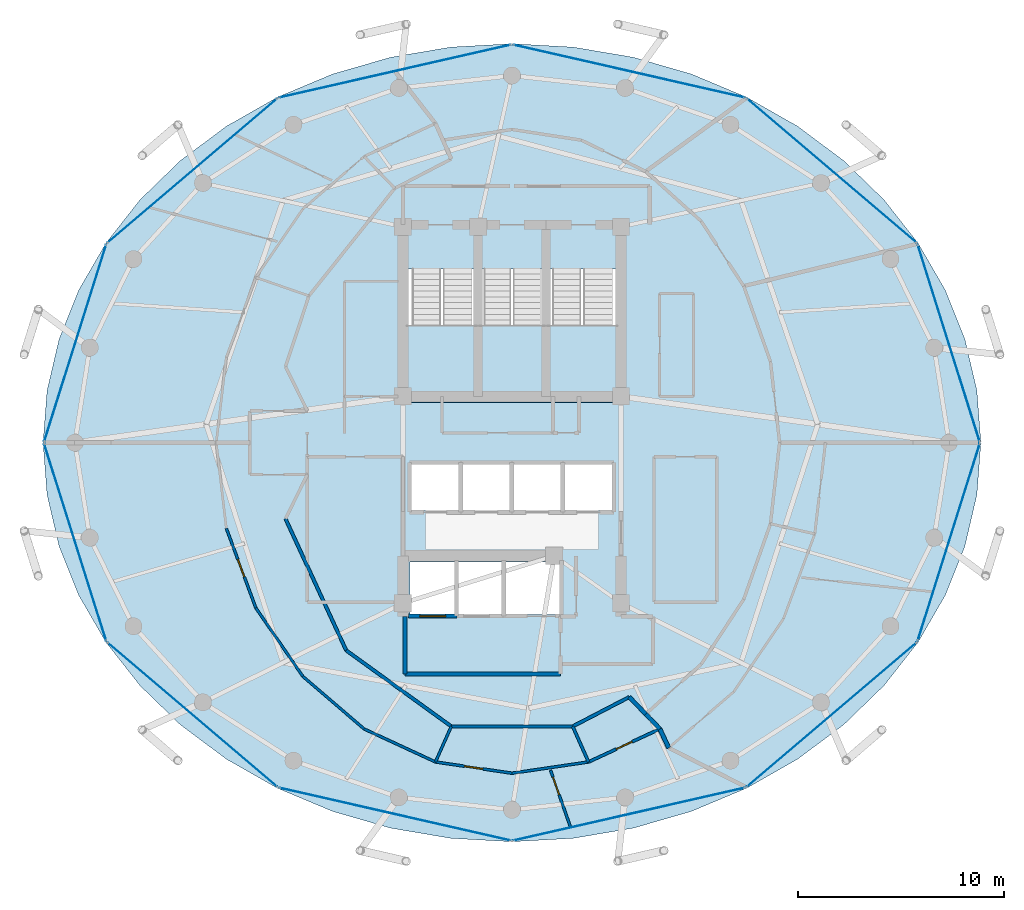
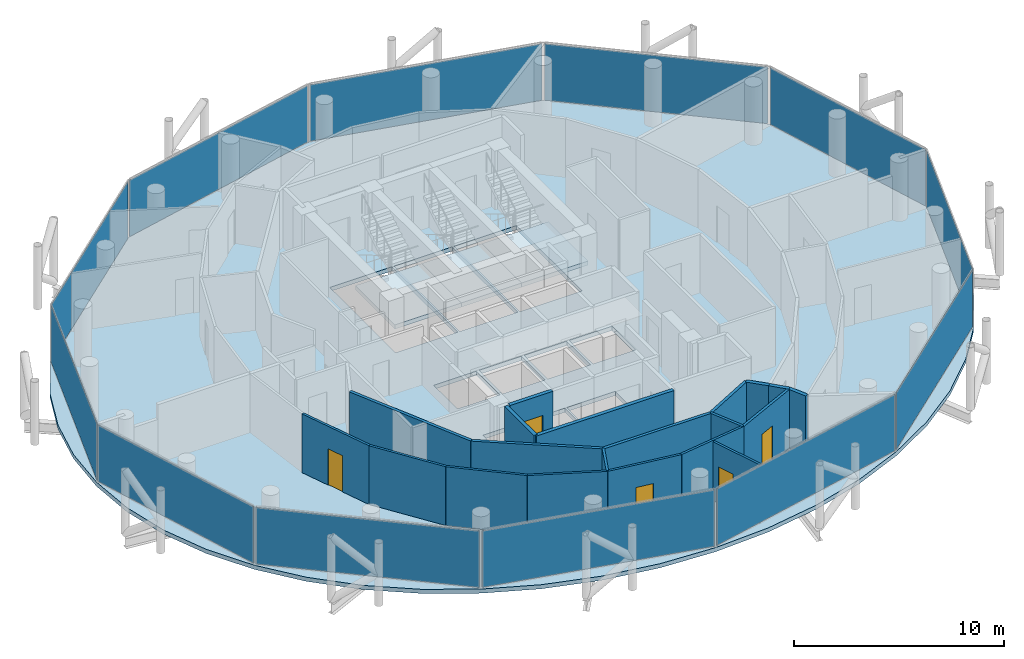
# One storey, part 22 of 27: 20 walls, 12 plates, 5 doors, 4 slabs, 5 openings, 15 elements without a shape of their own.
"""IFC4 building model written with IfcOpenShell, lengths in metres."""

from ifc_helpers import new_model, si_unit, direction, frame, frame_2d, origin, origin_2d, place, context, subcontext, project, spatial, polyline, rectangle, outline, extrude, material, layer, layer_set, type_object, element, fill, aggregate, save


model = new_model("IFC4")

# Units and contexts
model_context = context("Model", 3, precision=1e-05, world=origin(), true_north=direction((0.0, 1.0)))
body_context = subcontext(model_context, "Body", "Model", "MODEL_VIEW")
ifc_project = project(units=[si_unit("LENGTHUNIT", "METRE"), si_unit("AREAUNIT", "SQUARE_METRE"), si_unit("VOLUMEUNIT", "CUBIC_METRE"), si_unit("PLANEANGLEUNIT", "RADIAN"), si_unit("MASSUNIT", "GRAM", prefix="KILO")], contexts=[model_context])

# Site, building, storey
site_placement = place(None, origin())
site = spatial("IfcSite", under=ifc_project, at=site_placement, CompositionType="ELEMENT")
building_placement = place(site_placement, origin())
building = spatial("IfcBuilding", under=site, at=building_placement, Name="Nuhasar Tower", CompositionType="ELEMENT")
storey_placement = place(building_placement, frame((0.0, 0.0, 219.10009765625)))
storey = spatial("IfcBuildingStorey", under=building, at=storey_placement, Name="L53", CompositionType="ELEMENT", Elevation=219.10009765625)

# Curtain wall, plate
ifc_material_1 = material(Name="Aluminium 6063-T6", Category="aluminium")
ifc_layer_1 = layer(ifc_material_1, 0.18994140625)
ifc_layer_set_1 = layer_set([ifc_layer_1], Name="Aluminium 6063-T6")
curtain_wall_type = type_object("IfcCurtainWallType", Name="CW-Z3-RES", PredefinedType="NOTDEFINED", material=ifc_layer_set_1)
curtain_wall_1_placement = place(storey_placement, origin())
curtain_wall_1 = element("IfcCurtainWall", 1, at=curtain_wall_1_placement, inside=storey, type_object=curtain_wall_type, Name="L53 Unitised Curtain Wall 01", PredefinedType="NOTDEFINED")
ifc_material_2 = material(Name="Glass Double Low-E", Category="glass")
ifc_layer_2 = layer(ifc_material_2, 0.028076171875)
ifc_layer_set_2 = layer_set([ifc_layer_2], Name="Glass Double Low-E")
plate_type = type_object("IfcPlateType", Name="CW-PANEL-GLZ", PredefinedType="CURTAIN_PANEL", material=ifc_layer_set_2)
plate_1_placement = place(storey_placement, frame((60.235595703125, 31.639892578125, 0.06494140625), z_axis=(0.0, 0.0, 1.0), x_axis=(-0.30042864553, 0.95380429279, 0.0)))
plate_1 = element("IfcPlate", 2, at=plate_1_placement, type_object=plate_type, Name="CW-Z3 panel 1.1", PredefinedType="CURTAIN_PANEL", context=body_context, shape_type="SweptSolid", body=[
    extrude(rectangle(XDim=10.018798828125, YDim=0.028076171875, at=origin_2d()), origin(), (0.0, 0.0, 1.0), 3.280029296875),
])
aggregate(curtain_wall_1, [plate_1])

curtain_wall_2_placement = place(storey_placement, origin())
curtain_wall_2 = element("IfcCurtainWall", 3, at=curtain_wall_2_placement, inside=storey, type_object=curtain_wall_type, Name="L53 Unitised Curtain Wall 02", PredefinedType="NOTDEFINED")
plate_2_placement = place(storey_placement, frame((54.54541015625, 40.02294921875, 0.06494140625), z_axis=(0.0, 0.0, 1.0), x_axis=(-0.761729472562, 0.64789521578, 0.0)))
plate_2 = element("IfcPlate", 4, at=plate_2_placement, type_object=plate_type, Name="CW-Z3 panel 1.1", PredefinedType="CURTAIN_PANEL", context=body_context, shape_type="SweptSolid", body=[
    extrude(rectangle(XDim=10.806884765625, YDim=0.028076171875, at=origin_2d()), origin(), (0.0, 0.0, 1.0), 3.280029296875),
])
aggregate(curtain_wall_2, [plate_2])

curtain_wall_3_placement = place(storey_placement, origin())
curtain_wall_3 = element("IfcCurtainWall", 5, at=curtain_wall_3_placement, inside=storey, type_object=curtain_wall_type, Name="L53 Unitised Curtain Wall 03", PredefinedType="NOTDEFINED")
plate_3_placement = place(storey_placement, frame((44.68994140625, 44.863037109375, 0.06494140625), z_axis=(0.0, 0.0, 1.0), x_axis=(-0.974991266926, 0.222243176313, 0.0)))
plate_3 = element("IfcPlate", 6, at=plate_3_placement, type_object=plate_type, Name="CW-Z3 panel 1.1", PredefinedType="CURTAIN_PANEL", context=body_context, shape_type="SweptSolid", body=[
    extrude(rectangle(XDim=11.5419921875, YDim=0.028076171875, at=origin_2d()), origin(), (0.0, 0.0, 1.0), 3.280029296875),
])
aggregate(curtain_wall_3, [plate_3])

curtain_wall_4_placement = place(storey_placement, origin())
curtain_wall_4 = element("IfcCurtainWall", 7, at=curtain_wall_4_placement, inside=storey, type_object=curtain_wall_type, Name="L53 Unitised Curtain Wall 04", PredefinedType="NOTDEFINED")
plate_4_placement = place(storey_placement, frame((33.31005859375, 44.863037109375, 0.06494140625), z_axis=(0.0, 0.0, 1.0), x_axis=(-0.974991266926, -0.222243176313, 0.0)))
plate_4 = element("IfcPlate", 8, at=plate_4_placement, type_object=plate_type, Name="CW-Z3 panel 1.1", PredefinedType="CURTAIN_PANEL", context=body_context, shape_type="SweptSolid", body=[
    extrude(rectangle(XDim=11.5419921875, YDim=0.028076171875, at=origin_2d()), origin(), (0.0, 0.0, 1.0), 3.280029296875),
])
aggregate(curtain_wall_4, [plate_4])

curtain_wall_5_placement = place(storey_placement, origin())
curtain_wall_5 = element("IfcCurtainWall", 9, at=curtain_wall_5_placement, inside=storey, type_object=curtain_wall_type, Name="L53 Unitised Curtain Wall 05", PredefinedType="NOTDEFINED")
plate_5_placement = place(storey_placement, frame((23.45458984375, 40.02294921875, 0.06494140625), z_axis=(0.0, 0.0, 1.0), x_axis=(-0.761729472562, -0.64789521578, 0.0)))
plate_5 = element("IfcPlate", 10, at=plate_5_placement, type_object=plate_type, Name="CW-Z3 panel 1.1", PredefinedType="CURTAIN_PANEL", context=body_context, shape_type="SweptSolid", body=[
    extrude(rectangle(XDim=10.806884765625, YDim=0.028076171875, at=origin_2d()), origin(), (0.0, 0.0, 1.0), 3.280029296875),
])
aggregate(curtain_wall_5, [plate_5])

curtain_wall_6_placement = place(storey_placement, origin())
curtain_wall_6 = element("IfcCurtainWall", 11, at=curtain_wall_6_placement, inside=storey, type_object=curtain_wall_type, Name="L53 Unitised Curtain Wall 06", PredefinedType="NOTDEFINED")
plate_6_placement = place(storey_placement, frame((17.764404296875, 31.639892578125, 0.06494140625), z_axis=(0.0, 0.0, 1.0), x_axis=(-0.30042864553, -0.95380429279, 0.0)))
plate_6 = element("IfcPlate", 12, at=plate_6_placement, type_object=plate_type, Name="CW-Z3 panel 1.1", PredefinedType="CURTAIN_PANEL", context=body_context, shape_type="SweptSolid", body=[
    extrude(rectangle(XDim=10.018798828125, YDim=0.028076171875, at=origin_2d()), origin(), (0.0, 0.0, 1.0), 3.280029296875),
])
aggregate(curtain_wall_6, [plate_6])

curtain_wall_7_placement = place(storey_placement, origin())
curtain_wall_7 = element("IfcCurtainWall", 13, at=curtain_wall_7_placement, inside=storey, type_object=curtain_wall_type, Name="L53 Unitised Curtain Wall 07", PredefinedType="NOTDEFINED")
plate_7_placement = place(storey_placement, frame((17.764404296875, 21.9599609375, 0.06494140625), z_axis=(0.0, 0.0, 1.0), x_axis=(0.30042864553, -0.95380429279, 0.0)))
plate_7 = element("IfcPlate", 14, at=plate_7_placement, type_object=plate_type, Name="CW-Z3 panel 1.1", PredefinedType="CURTAIN_PANEL", context=body_context, shape_type="SweptSolid", body=[
    extrude(rectangle(XDim=10.018798828125, YDim=0.028076171875, at=origin_2d()), origin(), (0.0, 0.0, 1.0), 3.280029296875),
])
aggregate(curtain_wall_7, [plate_7])

curtain_wall_8_placement = place(storey_placement, origin())
curtain_wall_8 = element("IfcCurtainWall", 15, at=curtain_wall_8_placement, inside=storey, type_object=curtain_wall_type, Name="L53 Unitised Curtain Wall 08", PredefinedType="NOTDEFINED")
plate_8_placement = place(storey_placement, frame((23.45458984375, 13.576904296875, 0.06494140625), z_axis=(0.0, 0.0, 1.0), x_axis=(0.761729472562, -0.64789521578, 0.0)))
plate_8 = element("IfcPlate", 16, at=plate_8_placement, type_object=plate_type, Name="CW-Z3 panel 1.1", PredefinedType="CURTAIN_PANEL", context=body_context, shape_type="SweptSolid", body=[
    extrude(rectangle(XDim=10.806884765625, YDim=0.028076171875, at=origin_2d()), origin(), (0.0, 0.0, 1.0), 3.280029296875),
])
aggregate(curtain_wall_8, [plate_8])

curtain_wall_9_placement = place(storey_placement, origin())
curtain_wall_9 = element("IfcCurtainWall", 17, at=curtain_wall_9_placement, inside=storey, type_object=curtain_wall_type, Name="L53 Unitised Curtain Wall 09", PredefinedType="NOTDEFINED")
plate_9_placement = place(storey_placement, frame((33.31005859375, 8.737060546875, 0.06494140625), z_axis=(0.0, 0.0, 1.0), x_axis=(0.974991266926, -0.222243176313, 0.0)))
plate_9 = element("IfcPlate", 18, at=plate_9_placement, type_object=plate_type, Name="CW-Z3 panel 1.1", PredefinedType="CURTAIN_PANEL", context=body_context, shape_type="SweptSolid", body=[
    extrude(rectangle(XDim=11.5419921875, YDim=0.028076171875, at=origin_2d()), origin(), (0.0, 0.0, 1.0), 3.280029296875),
])
aggregate(curtain_wall_9, [plate_9])

curtain_wall_10_placement = place(storey_placement, origin())
curtain_wall_10 = element("IfcCurtainWall", 19, at=curtain_wall_10_placement, inside=storey, type_object=curtain_wall_type, Name="L53 Unitised Curtain Wall 10", PredefinedType="NOTDEFINED")
plate_10_placement = place(storey_placement, frame((44.68994140625, 8.737060546875, 0.06494140625), z_axis=(0.0, 0.0, 1.0), x_axis=(0.974991266926, 0.222243176313, 0.0)))
plate_10 = element("IfcPlate", 20, at=plate_10_placement, type_object=plate_type, Name="CW-Z3 panel 1.1", PredefinedType="CURTAIN_PANEL", context=body_context, shape_type="SweptSolid", body=[
    extrude(rectangle(XDim=11.5419921875, YDim=0.028076171875, at=origin_2d()), origin(), (0.0, 0.0, 1.0), 3.280029296875),
])
aggregate(curtain_wall_10, [plate_10])

curtain_wall_11_placement = place(storey_placement, origin())
curtain_wall_11 = element("IfcCurtainWall", 21, at=curtain_wall_11_placement, inside=storey, type_object=curtain_wall_type, Name="L53 Unitised Curtain Wall 11", PredefinedType="NOTDEFINED")
plate_11_placement = place(storey_placement, frame((54.54541015625, 13.576904296875, 0.06494140625), z_axis=(0.0, 0.0, 1.0), x_axis=(0.761729472562, 0.64789521578, 0.0)))
plate_11 = element("IfcPlate", 22, at=plate_11_placement, type_object=plate_type, Name="CW-Z3 panel 1.1", PredefinedType="CURTAIN_PANEL", context=body_context, shape_type="SweptSolid", body=[
    extrude(rectangle(XDim=10.806884765625, YDim=0.028076171875, at=origin_2d()), origin(), (0.0, 0.0, 1.0), 3.280029296875),
])
aggregate(curtain_wall_11, [plate_11])

curtain_wall_12_placement = place(storey_placement, origin())
curtain_wall_12 = element("IfcCurtainWall", 23, at=curtain_wall_12_placement, inside=storey, type_object=curtain_wall_type, Name="L53 Unitised Curtain Wall 12", PredefinedType="NOTDEFINED")
plate_12_placement = place(storey_placement, frame((60.235595703125, 21.9599609375, 0.06494140625), z_axis=(0.0, 0.0, 1.0), x_axis=(0.30042864553, 0.95380429279, 0.0)))
plate_12 = element("IfcPlate", 24, at=plate_12_placement, type_object=plate_type, Name="CW-Z3 panel 1.1", PredefinedType="CURTAIN_PANEL", context=body_context, shape_type="SweptSolid", body=[
    extrude(rectangle(XDim=10.018798828125, YDim=0.028076171875, at=origin_2d()), origin(), (0.0, 0.0, 1.0), 3.280029296875),
])
aggregate(curtain_wall_12, [plate_12])

# Stair, slab
ifc_material_3 = material(Name="Concrete C45/55", Category="concrete")
stair_type_1 = type_object("IfcStairType", Name="STR-ST-01-2F-22R-1659", PredefinedType="HALF_TURN_STAIR", material=ifc_material_3)
stair_1_placement = place(storey_placement, origin())
stair_1 = element("IfcStair", 25, at=stair_1_placement, inside=storey, type_object=stair_type_1, Name="L53 Exit Stair ST-01", PredefinedType="HALF_TURN_STAIR")
ifc_layer_3 = layer(ifc_material_3, 0.239990234375)
ifc_layer_set_3 = layer_set([ifc_layer_3], Name="Concrete C45/55")
slab_type_1 = type_object("IfcSlabType", Name="SLB-STAIR-LND-240", PredefinedType="LANDING", material=ifc_layer_set_3)
slab_1_placement = place(storey_placement, frame((0.0, 0.0, 1.5849609375)))
slab_1 = element("IfcSlab", 26, at=slab_1_placement, type_object=slab_type_1, Name="ST-01 landing 1", PredefinedType="LANDING", context=body_context, shape_type="SweptSolid", body=[
    extrude(outline(polyline([(33.699951171875, 28.75), (37.35009765625, 28.75), (37.35009765625, 32.52001953125), (33.699951171875, 32.52001953125), (33.699951171875, 28.75)])), origin(), (0.0, 0.0, 1.0), 0.239990234375),
])
aggregate(stair_1, [slab_1])

stair_type_2 = type_object("IfcStairType", Name="STR-ST-03-2F-22R-1659", PredefinedType="HALF_TURN_STAIR", material=ifc_material_3)
stair_2_placement = place(storey_placement, origin())
stair_2 = element("IfcStair", 27, at=stair_2_placement, inside=storey, type_object=stair_type_2, Name="L53 Exit Stair ST-03", PredefinedType="HALF_TURN_STAIR")
slab_2_placement = place(storey_placement, frame((0.0, 0.0, 1.5849609375)))
slab_2 = element("IfcSlab", 28, at=slab_2_placement, type_object=slab_type_1, Name="ST-03 landing 1", PredefinedType="LANDING", context=body_context, shape_type="SweptSolid", body=[
    extrude(outline(polyline([(37.35009765625, 28.75), (40.64990234375, 28.75), (40.64990234375, 32.52001953125), (37.35009765625, 32.52001953125), (37.35009765625, 28.75)])), origin(), (0.0, 0.0, 1.0), 0.239990234375),
])
aggregate(stair_2, [slab_2])

stair_type_3 = type_object("IfcStairType", Name="STR-ST-02-2F-22R-1659", PredefinedType="HALF_TURN_STAIR", material=ifc_material_3)
stair_3_placement = place(storey_placement, origin())
stair_3 = element("IfcStair", 29, at=stair_3_placement, inside=storey, type_object=stair_type_3, Name="L53 Exit Stair ST-02", PredefinedType="HALF_TURN_STAIR")
slab_3_placement = place(storey_placement, frame((0.0, 0.0, 1.5849609375)))
slab_3 = element("IfcSlab", 30, at=slab_3_placement, type_object=slab_type_1, Name="ST-02 landing 1", PredefinedType="LANDING", context=body_context, shape_type="SweptSolid", body=[
    extrude(outline(polyline([(40.64990234375, 28.75), (44.300048828125, 28.75), (44.300048828125, 32.52001953125), (40.64990234375, 32.52001953125), (40.64990234375, 28.75)])), origin(), (0.0, 0.0, 1.0), 0.239990234375),
])
aggregate(stair_3, [slab_3])

# Slab
ifc_layer_4 = layer(ifc_material_3, 0.239990234375)
ifc_layer_set_4 = layer_set([ifc_layer_4], Name="Concrete C45/55")
slab_type_2 = type_object("IfcSlabType", Name="SLB-Z3-240", PredefinedType="FLOOR", material=ifc_layer_set_4)
slab_4_placement = place(storey_placement, frame((0.0, 0.0, -0.239990234375)))
element("IfcSlab", 31, at=slab_4_placement, inside=storey, type_object=slab_type_2, Name="L53 Structural Slab", PredefinedType="FLOOR", context=body_context, shape_type="SweptSolid", body=[
    extrude(outline(polyline([(61.800048828125, 26.800048828125), (61.60498046875, 29.33203125), (61.02294921875, 31.821044921875), (60.06396484375, 34.22412109375), (58.7451171875, 36.5), (57.087890625, 38.610107421875), (55.1220703125, 40.51806640625), (52.8798828125, 42.19091796875), (50.39990234375, 43.60107421875), (47.72509765625, 44.722900390625), (44.90087890625, 45.5390625), (41.97607421875, 46.033935546875), (39.0, 46.199951171875), (36.02392578125, 46.033935546875), (33.09912109375, 45.5390625), (30.27490234375, 44.722900390625), (27.60009765625, 43.60107421875), (25.1201171875, 42.19091796875), (22.8779296875, 40.51806640625), (20.912109375, 38.610107421875), (19.2548828125, 36.5), (17.93603515625, 34.22412109375), (16.97705078125, 31.821044921875), (16.39501953125, 29.33203125), (16.199951171875, 26.800048828125), (16.39501953125, 24.26806640625), (16.97705078125, 21.779052734375), (17.93603515625, 19.3759765625), (19.2548828125, 17.10009765625), (20.912109375, 14.989990234375), (22.8779296875, 13.08203125), (25.1201171875, 11.408935546875), (27.60009765625, 9.9990234375), (30.27490234375, 8.876953125), (33.09912109375, 8.06103515625), (36.02392578125, 7.56591796875), (39.0, 7.39990234375), (41.97607421875, 7.56591796875), (44.90087890625, 8.06103515625), (47.72509765625, 8.876953125), (50.39990234375, 9.9990234375), (52.8798828125, 11.408935546875), (55.1220703125, 13.08203125), (57.087890625, 14.989990234375), (58.7451171875, 17.10009765625), (60.06396484375, 19.3759765625), (61.02294921875, 21.779052734375), (61.60498046875, 24.26806640625), (61.800048828125, 26.800048828125)]), holes=[polyline([(33.8798828125, 35.25), (37.300048828125, 35.25), (37.300048828125, 29.0), (33.8798828125, 29.0), (33.8798828125, 35.25)]), polyline([(37.39990234375, 35.25), (40.60009765625, 35.25), (40.60009765625, 29.0), (37.39990234375, 29.0), (37.39990234375, 35.25)]), polyline([(40.699951171875, 35.25), (44.1201171875, 35.25), (44.1201171875, 29.0), (40.699951171875, 29.0), (40.699951171875, 35.25)]), polyline([(34.10009765625, 25.75), (36.43994140625, 25.75), (36.43994140625, 23.5), (34.10009765625, 23.5), (34.10009765625, 25.75)]), polyline([(36.580078125, 25.75), (38.919921875, 25.75), (38.919921875, 23.5), (36.580078125, 23.5), (36.580078125, 25.75)]), polyline([(39.06005859375, 25.75), (41.39990234375, 25.75), (41.39990234375, 23.5), (39.06005859375, 23.5), (39.06005859375, 25.75)]), polyline([(41.5400390625, 25.75), (43.8798828125, 25.75), (43.8798828125, 23.5), (41.5400390625, 23.5), (41.5400390625, 25.75)]), polyline([(34.050048828125, 21.0), (36.25, 21.0), (36.25, 18.449951171875), (34.050048828125, 18.449951171875), (34.050048828125, 21.0)]), polyline([(36.35009765625, 21.0), (38.550048828125, 21.0), (38.550048828125, 18.449951171875), (36.35009765625, 18.449951171875), (36.35009765625, 21.0)]), polyline([(38.64990234375, 21.0), (41.320068359375, 21.0), (41.320068359375, 18.449951171875), (38.64990234375, 18.449951171875), (38.64990234375, 21.0)])]), origin(), (0.0, 0.0, 1.0), 0.239990234375),
])

# Walls
ifc_material_4 = material(Name="Gypsum Board", Category="gypsum")
ifc_layer_5 = layer(ifc_material_4, 0.159912109375)
ifc_layer_set_5 = layer_set([ifc_layer_5], Name="Gypsum Board")
wall_type_1 = type_object("IfcWallType", Name="WL-CORR-160", PredefinedType="PARTITIONING", material=ifc_layer_set_5)
wall_1_placement = place(storey_placement, frame((27.988037109375, 23.10400390625, 0.0), z_axis=(0.0, 0.0, 1.0), x_axis=(0.418656179426, -0.908144814128, 0.0)))
element("IfcWall", 32, at=wall_1_placement, inside=storey, type_object=wall_type_1, Name="L53 Interior Partition UWEST-CORE-S1-26", PredefinedType="PARTITIONING", context=body_context, shape_type="SweptSolid", body=[
    extrude(rectangle(XDim=7.048583984375, YDim=0.159912109375, at=frame_2d((3.5244140625, 0.0))), origin(), (0.0, 0.0, 1.0), 3.409912109375),
])
wall_2_placement = place(storey_placement, frame((30.93896484375, 16.702880859375, 0.0), z_axis=(0.0, 0.0, 1.0), x_axis=(0.810290119061, -0.586028943784, 0.0)))
element("IfcWall", 33, at=wall_2_placement, inside=storey, type_object=wall_type_1, Name="L53 Interior Partition UWEST-CORE-S1-30", PredefinedType="PARTITIONING", context=body_context, shape_type="SweptSolid", body=[
    extrude(rectangle(XDim=6.306396484375, YDim=0.159912109375, at=frame_2d((3.1533203125, 0.0))), origin(), (0.0, 0.0, 1.0), 3.409912109375),
])
wall_3_placement = place(storey_placement, frame((36.049072265625, 13.007080078125, 0.0), z_axis=(0.0, 0.0, 1.0), x_axis=(1.0, 0.0, 0.0)))
element("IfcWall", 34, at=wall_3_placement, inside=storey, type_object=wall_type_1, Name="L53 Interior Partition UWEST-CORE-S1-34", PredefinedType="PARTITIONING", context=body_context, shape_type="SweptSolid", body=[
    extrude(rectangle(XDim=5.90185546875, YDim=0.159912109375, at=frame_2d((2.950927734375, 0.0))), origin(), (0.0, 0.0, 1.0), 3.409912109375),
])
wall_4_placement = place(storey_placement, frame((41.950927734375, 13.007080078125, 0.0), z_axis=(0.0, 0.0, 1.0), x_axis=(0.887674575788, 0.460471331898, 0.0)))
element("IfcWall", 35, at=wall_4_placement, inside=storey, type_object=wall_type_1, Name="L53 Interior Partition UWEST-CORE-S2-38", PredefinedType="PARTITIONING", context=body_context, shape_type="SweptSolid", body=[
    extrude(rectangle(XDim=3.096923828125, YDim=0.159912109375, at=frame_2d((1.54833984375, 0.0))), origin(), (0.0, 0.0, 1.0), 3.409912109375),
])
ifc_layer_6 = layer(ifc_material_3, 0.199951171875)
ifc_layer_set_6 = layer_set([ifc_layer_6], Name="Concrete C45/55")
wall_type_2 = type_object("IfcWallType", Name="WL-LOBBY-200", PredefinedType="SOLIDWALL", material=ifc_layer_set_6)
wall_5_placement = place(storey_placement, frame((33.800048828125, 15.550048828125, 0.0), z_axis=(0.0, 0.0, 1.0), x_axis=(1.0, 0.0, 0.0)))
element("IfcWall", 36, at=wall_5_placement, inside=storey, type_object=wall_type_2, Name="L53 Interior Partition FFL-S", PredefinedType="SOLIDWALL", context=body_context, shape_type="SweptSolid", body=[
    extrude(rectangle(XDim=7.550048828125, YDim=0.199951171875, at=frame_2d((3.77490234375, 0.0))), origin(), (0.0, 0.0, 1.0), 3.409912109375),
])
wall_6_placement = place(storey_placement, frame((33.800048828125, 15.550048828125, 0.0), z_axis=(0.0, 0.0, 1.0), x_axis=(0.0, 1.0, 0.0)))
element("IfcWall", 37, at=wall_6_placement, inside=storey, type_object=wall_type_2, Name="L53 Interior Partition FFL-W", PredefinedType="SOLIDWALL", context=body_context, shape_type="SweptSolid", body=[
    extrude(rectangle(XDim=2.800048828125, YDim=0.199951171875, at=frame_2d((1.39990234375, 0.0))), origin(), (0.0, 0.0, 1.0), 3.409912109375),
])

# Wall, opening, door
ifc_layer_7 = layer(ifc_material_4, 0.125)
ifc_layer_set_7 = layer_set([ifc_layer_7], Name="Gypsum Board")
wall_type_3 = type_object("IfcWallType", Name="WL-PART-125", PredefinedType="PARTITIONING", material=ifc_layer_set_7)
wall_7_placement = place(storey_placement, frame((39.0, 10.72998046875, 0.0), z_axis=(0.0, 0.0, 1.0), x_axis=(-0.989330267414, 0.145690157451, 0.0)))
wall_7 = element("IfcWall", 38, at=wall_7_placement, inside=storey, type_object=wall_type_3, Name="L53 Interior Partition USM-2-K-34", PredefinedType="PARTITIONING", context=body_context, shape_type="SweptSolid", body=[
    extrude(rectangle(XDim=3.761962890625, YDim=0.125, at=frame_2d((1.880859375, 0.0))), origin(), (0.0, 0.0, 1.0), 3.409912109375),
])
opening_1_placement = place(wall_7_placement, frame((1.430908203125, 0.0, 0.0)))
opening_1 = element("IfcOpeningElement", 39, at=opening_1_placement, cuts=wall_7, Name="Opening DR-01", PredefinedType="OPENING", context=body_context, shape_type="SweptSolid", body=[
    extrude(rectangle(XDim=0.89990234375, YDim=2.10009765625, at=frame_2d((0.449951171875, 1.050048828125))), frame((0.0, 0.072509765625, 0.0), z_axis=(0.0, -1.0, 0.0), x_axis=(1.0, 0.0, 0.0)), (0.0, 0.0, 1.0), 0.14501953125),
])
ifc_material_5 = material(Name="Timber Oak", Category="wood")
door_type_1 = type_object("IfcDoorType", Name="DR-ROOM-900", OperationType="NOTDEFINED", PredefinedType="DOOR", material=ifc_material_5)
door_1_placement = place(opening_1_placement, origin())
door_1 = element("IfcDoor", 40, at=door_1_placement, inside=storey, type_object=door_type_1, Name="L53 South-West Sky Home Kitchen Door", OperationType="SINGLE_SWING_LEFT", OverallHeight=2.10009765625, OverallWidth=0.89990234375, PredefinedType="DOOR", context=body_context, shape_type="SweptSolid", body=[
    extrude(rectangle(XDim=0.89990234375, YDim=2.10009765625, at=frame_2d((0.449951171875, 1.050048828125))), frame((0.0, 0.02490234375, 0.0), z_axis=(0.0, -1.0, 0.0), x_axis=(1.0, 0.0, 0.0)), (0.0, 0.0, 1.0), 0.050048828125),
])
fill(opening_1, door_1)

# Walls
wall_8_placement = place(storey_placement, frame((39.0, 10.72998046875, 0.0), z_axis=(0.0, 0.0, 1.0), x_axis=(0.989330267414, 0.145690157451, 0.0)))
element("IfcWall", 41, at=wall_8_placement, inside=storey, type_object=wall_type_3, Name="L53 Interior Partition USM-2-K-36", PredefinedType="PARTITIONING", context=body_context, shape_type="SweptSolid", body=[
    extrude(rectangle(XDim=3.761962890625, YDim=0.125, at=frame_2d((1.880859375, 0.0))), origin(), (0.0, 0.0, 1.0), 3.409912109375),
])
wall_9_placement = place(storey_placement, frame((36.049072265625, 13.007080078125, 0.0), z_axis=(0.0, 0.0, 1.0), x_axis=(-0.407262922325, -0.913310961338, 0.0)))
element("IfcWall", 42, at=wall_9_placement, inside=storey, type_object=wall_type_3, Name="L53 Interior Partition USI-2-DK", PredefinedType="PARTITIONING", context=body_context, shape_type="SweptSolid", body=[
    extrude(rectangle(XDim=1.89306640625, YDim=0.125, at=frame_2d((0.946533203125, 0.0))), origin(), (0.0, 0.0, 1.0), 3.409912109375),
])

# Wall, opening, door
wall_10_placement = place(storey_placement, frame((26.547119140625, 18.764892578125, 0.0), z_axis=(0.0, 0.0, 1.0), x_axis=(-0.347606700796, 0.937640432982, 0.0)))
wall_10 = element("IfcWall", 43, at=wall_10_placement, inside=storey, type_object=wall_type_3, Name="L53 Interior Partition USM-2-D-26", PredefinedType="PARTITIONING", context=body_context, shape_type="SweptSolid", body=[
    extrude(rectangle(XDim=4.134033203125, YDim=0.125, at=frame_2d((2.06689453125, 0.0))), origin(), (0.0, 0.0, 1.0), 3.409912109375),
])
opening_2_placement = place(wall_10_placement, frame((1.616943359375, 0.0, 0.0)))
opening_2 = element("IfcOpeningElement", 44, at=opening_2_placement, cuts=wall_10, Name="Opening DR-01", PredefinedType="OPENING", context=body_context, shape_type="SweptSolid", body=[
    extrude(rectangle(XDim=0.89990234375, YDim=2.10009765625, at=frame_2d((0.449951171875, 1.050048828125))), frame((0.0, 0.072509765625, 0.0), z_axis=(0.0, -1.0, 0.0), x_axis=(1.0, 0.0, 0.0)), (0.0, 0.0, 1.0), 0.14501953125),
])
door_2_placement = place(opening_2_placement, origin())
door_2 = element("IfcDoor", 45, at=door_2_placement, inside=storey, type_object=door_type_1, Name="L53 South-West Sky Home Living Door", OperationType="SINGLE_SWING_LEFT", OverallHeight=2.10009765625, OverallWidth=0.89990234375, PredefinedType="DOOR", context=body_context, shape_type="SweptSolid", body=[
    extrude(rectangle(XDim=0.89990234375, YDim=2.10009765625, at=frame_2d((0.449951171875, 1.050048828125))), frame((0.0, 0.02490234375, 0.0), z_axis=(0.0, -1.0, 0.0), x_axis=(1.0, 0.0, 0.0)), (0.0, 0.0, 1.0), 0.050048828125),
])
fill(opening_2, door_2)

# Walls
wall_11_placement = place(storey_placement, frame((26.547119140625, 18.764892578125, 0.0), z_axis=(0.0, 0.0, 1.0), x_axis=(0.566023066777, -0.824389403059, 0.0)))
element("IfcWall", 46, at=wall_11_placement, inside=storey, type_object=wall_type_3, Name="L53 Interior Partition USM-2-D-28", PredefinedType="PARTITIONING", context=body_context, shape_type="SweptSolid", body=[
    extrude(rectangle(XDim=4.036865234375, YDim=0.125, at=frame_2d((2.0185546875, 0.0))), origin(), (0.0, 0.0, 1.0), 3.409912109375),
])
wall_12_placement = place(storey_placement, frame((28.83203125, 15.43701171875, 0.0), z_axis=(0.0, 0.0, 1.0), x_axis=(0.759085259689, -0.650991220004, 0.0)))
element("IfcWall", 47, at=wall_12_placement, inside=storey, type_object=wall_type_3, Name="L53 Interior Partition USM-2-D-30", PredefinedType="PARTITIONING", context=body_context, shape_type="SweptSolid", body=[
    extrude(rectangle(XDim=3.923095703125, YDim=0.125, at=frame_2d((1.96142578125, 0.0))), origin(), (0.0, 0.0, 1.0), 3.409912109375),
])
wall_13_placement = place(storey_placement, frame((31.81005859375, 12.883056640625, 0.0), z_axis=(0.0, 0.0, 1.0), x_axis=(0.907525084777, -0.419997881543, 0.0)))
element("IfcWall", 48, at=wall_13_placement, inside=storey, type_object=wall_type_3, Name="L53 Interior Partition USM-2-D-32", PredefinedType="PARTITIONING", context=body_context, shape_type="SweptSolid", body=[
    extrude(rectangle(XDim=3.8212890625, YDim=0.125, at=frame_2d((1.91064453125, 0.0))), origin(), (0.0, 0.0, 1.0), 3.409912109375),
])

# Wall, opening, door
wall_14_placement = place(storey_placement, frame((40.876953125, 10.866943359375, 0.0), z_axis=(0.0, 0.0, 1.0), x_axis=(0.331393126799, -0.943492763889, 0.0)))
wall_14 = element("IfcWall", 49, at=wall_14_placement, inside=storey, type_object=wall_type_3, Name="L53 Interior Partition USO-2-BD", PredefinedType="PARTITIONING", context=body_context, shape_type="SweptSolid", body=[
    extrude(rectangle(XDim=2.9091796875, YDim=0.125, at=frame_2d((1.45458984375, 0.0))), origin(), (0.0, 0.0, 1.0), 3.409912109375),
])
opening_3_placement = place(wall_14_placement, frame((0.35009765625, 0.0, 0.0)))
opening_3 = element("IfcOpeningElement", 50, at=opening_3_placement, cuts=wall_14, Name="Opening DR-01", PredefinedType="OPENING", context=body_context, shape_type="SweptSolid", body=[
    extrude(rectangle(XDim=0.89990234375, YDim=2.10009765625, at=frame_2d((0.449951171875, 1.050048828125))), frame((0.0, 0.072509765625, 0.0), z_axis=(0.0, -1.0, 0.0), x_axis=(1.0, 0.0, 0.0)), (0.0, 0.0, 1.0), 0.14501953125),
])
door_3_placement = place(opening_3_placement, origin())
door_3 = element("IfcDoor", 51, at=door_3_placement, inside=storey, type_object=door_type_1, Name="L53 South-West Sky Home Master Bedroom Door", OperationType="SINGLE_SWING_LEFT", OverallHeight=2.10009765625, OverallWidth=0.89990234375, PredefinedType="DOOR", context=body_context, shape_type="SweptSolid", body=[
    extrude(rectangle(XDim=0.89990234375, YDim=2.10009765625, at=frame_2d((0.449951171875, 1.050048828125))), frame((0.0, 0.02490234375, 0.0), z_axis=(0.0, -1.0, 0.0), x_axis=(1.0, 0.0, 0.0)), (0.0, 0.0, 1.0), 0.050048828125),
])
fill(opening_3, door_3)

ifc_layer_8 = layer(ifc_material_3, 0.199951171875)
ifc_layer_set_8 = layer_set([ifc_layer_8], Name="Concrete C45/55")
wall_type_4 = type_object("IfcWallType", Name="WL-SHAFT-200", PredefinedType="SOLIDWALL", material=ifc_layer_set_8)
wall_15_placement = place(storey_placement, frame((33.969970703125, 18.3701171875, 0.0), z_axis=(0.0, 0.0, 1.0), x_axis=(1.0, 0.0, 0.0)))
wall_15 = element("IfcWall", 52, at=wall_15_placement, inside=storey, type_object=wall_type_4, Name="L53 Interior Partition SHF-FFL-01-S", PredefinedType="SOLIDWALL", context=body_context, shape_type="SweptSolid", body=[
    extrude(rectangle(XDim=2.360107421875, YDim=0.199951171875, at=frame_2d((1.18017578125, 0.0))), origin(), (0.0, 0.0, 1.0), 3.409912109375),
])
opening_4_placement = place(wall_15_placement, frame((0.554931640625, 0.0, 0.0)))
opening_4 = element("IfcOpeningElement", 53, at=opening_4_placement, cuts=wall_15, Name="Opening LD-F01", PredefinedType="OPENING", context=body_context, shape_type="SweptSolid", body=[
    extrude(rectangle(XDim=1.25, YDim=2.199951171875, at=frame_2d((0.625, 1.10009765625))), frame((0.0, 0.10986328125, 0.0), z_axis=(0.0, -1.0, 0.0), x_axis=(1.0, 0.0, 0.0)), (0.0, 0.0, 1.0), 0.219970703125),
])
ifc_material_6 = material(Name="Stainless Steel 316L", Category="steel")
door_type_2 = type_object("IfcDoorType", Name="LD-FFL-1250", OperationType="DOUBLE_DOOR_SLIDING", PredefinedType="DOOR", material=ifc_material_6)
door_4_placement = place(opening_4_placement, origin())
door_4 = element("IfcDoor", 54, at=door_4_placement, inside=storey, type_object=door_type_2, Name="L53 Lift Landing Door FFL-01", OperationType="DOUBLE_DOOR_SLIDING", OverallHeight=2.199951171875, OverallWidth=1.25, PredefinedType="DOOR", context=body_context, shape_type="SweptSolid", body=[
    extrude(rectangle(XDim=1.25, YDim=2.199951171875, at=frame_2d((0.625, 1.10009765625))), frame((0.0, 0.02490234375, 0.0), z_axis=(0.0, -1.0, 0.0), x_axis=(1.0, 0.0, 0.0)), (0.0, 0.0, 1.0), 0.050048828125),
])
fill(opening_4, door_4)

# Walls
ifc_material_7 = material(Name="Concrete C40/50 precast", Category="concrete")
ifc_layer_9 = layer(ifc_material_7, 0.199951171875)
ifc_layer_set_9 = layer_set([ifc_layer_9], Name="Concrete C40/50 precast")
wall_type_5 = type_object("IfcWallType", Name="WL-UNIT-200", PredefinedType="PARTITIONING", material=ifc_layer_set_9)
wall_16_placement = place(storey_placement, frame((44.699951171875, 14.43310546875, 0.0), z_axis=(0.0, 0.0, 1.0), x_axis=(0.699216408702, -0.714910073926, 0.0)))
element("IfcWall", 55, at=wall_16_placement, inside=storey, type_object=wall_type_5, Name="L53 Interior Partition URAD-40-SW-S1", PredefinedType="PARTITIONING", context=body_context, shape_type="SweptSolid", body=[
    extrude(rectangle(XDim=1.151123046875, YDim=0.199951171875, at=frame_2d((0.57568359375, 0.0))), origin(), (0.0, 0.0, 1.0), 3.409912109375),
])
wall_17_placement = place(storey_placement, frame((45.5048828125, 13.610107421875, 0.0), z_axis=(0.0, 0.0, 1.0), x_axis=(0.685776251655, -0.72781242959, 0.0)))
element("IfcWall", 56, at=wall_17_placement, inside=storey, type_object=wall_type_5, Name="L53 Interior Partition URAD-40-SW-S2", PredefinedType="PARTITIONING", context=body_context, shape_type="SweptSolid", body=[
    extrude(rectangle(XDim=0.9990234375, YDim=0.199951171875, at=frame_2d((0.49951171875, 0.0))), origin(), (0.0, 0.0, 1.0), 3.409912109375),
])
wall_18_placement = place(storey_placement, frame((46.18994140625, 12.883056640625, 0.0), z_axis=(0.0, 0.0, 1.0), x_axis=(0.424335152462, -0.905505206161, 0.0)))
element("IfcWall", 57, at=wall_18_placement, inside=storey, type_object=wall_type_5, Name="L53 Interior Partition URAD-40-SW-S3", PredefinedType="PARTITIONING", context=body_context, shape_type="SweptSolid", body=[
    extrude(rectangle(XDim=1.013671875, YDim=0.199951171875, at=frame_2d((0.5068359375, 0.0))), origin(), (0.0, 0.0, 1.0), 3.409912109375),
])

# Wall, opening, door
ifc_layer_10 = layer(ifc_material_7, 0.139892578125)
ifc_layer_set_10 = layer_set([ifc_layer_10], Name="Concrete C40/50 precast")
wall_type_6 = type_object("IfcWallType", Name="WL-WET-140", PredefinedType="PARTITIONING", material=ifc_layer_set_10)
wall_19_placement = place(storey_placement, frame((46.18994140625, 12.883056640625, 0.0), z_axis=(0.0, 0.0, 1.0), x_axis=(-0.907525084777, -0.419997881543, 0.0)))
wall_19 = element("IfcWall", 58, at=wall_19_placement, inside=storey, type_object=wall_type_6, Name="L53 Interior Partition USM-2-B-38", PredefinedType="PARTITIONING", context=body_context, shape_type="SweptSolid", body=[
    extrude(rectangle(XDim=3.8212890625, YDim=0.139892578125, at=frame_2d((1.91064453125, 0.0))), origin(), (0.0, 0.0, 1.0), 3.409912109375),
])
opening_5_placement = place(wall_19_placement, frame((1.486083984375, 0.0, 0.0)))
opening_5 = element("IfcOpeningElement", 59, at=opening_5_placement, cuts=wall_19, Name="Opening DB-01", PredefinedType="OPENING", context=body_context, shape_type="SweptSolid", body=[
    extrude(rectangle(XDim=0.85009765625, YDim=2.10009765625, at=frame_2d((0.425048828125, 1.050048828125))), frame((0.0, 0.080078125, 0.0), z_axis=(0.0, -1.0, 0.0), x_axis=(1.0, 0.0, 0.0)), (0.0, 0.0, 1.0), 0.159912109375),
])
door_type_3 = type_object("IfcDoorType", Name="DR-BATH-850", OperationType="NOTDEFINED", PredefinedType="DOOR", material=ifc_material_5)
door_5_placement = place(opening_5_placement, origin())
door_5 = element("IfcDoor", 60, at=door_5_placement, inside=storey, type_object=door_type_3, Name="L53 South-West Sky Home En-Suite Door", OperationType="SINGLE_SWING_LEFT", OverallHeight=2.10009765625, OverallWidth=0.85009765625, PredefinedType="DOOR", context=body_context, shape_type="SweptSolid", body=[
    extrude(rectangle(XDim=0.85009765625, YDim=2.10009765625, at=frame_2d((0.425048828125, 1.050048828125))), frame((0.0, 0.02490234375, 0.0), z_axis=(0.0, -1.0, 0.0), x_axis=(1.0, 0.0, 0.0)), (0.0, 0.0, 1.0), 0.050048828125),
])
fill(opening_5, door_5)

# Wall
wall_20_placement = place(storey_placement, frame((41.950927734375, 13.007080078125, 0.0), z_axis=(0.0, 0.0, 1.0), x_axis=(0.407262922325, -0.913310961338, 0.0)))
element("IfcWall", 61, at=wall_20_placement, inside=storey, type_object=wall_type_6, Name="L53 Interior Partition USI-2-KB", PredefinedType="PARTITIONING", context=body_context, shape_type="SweptSolid", body=[
    extrude(rectangle(XDim=1.89306640625, YDim=0.139892578125, at=frame_2d((0.946533203125, 0.0))), origin(), (0.0, 0.0, 1.0), 3.409912109375),
])

save(model, "model.ifc")
